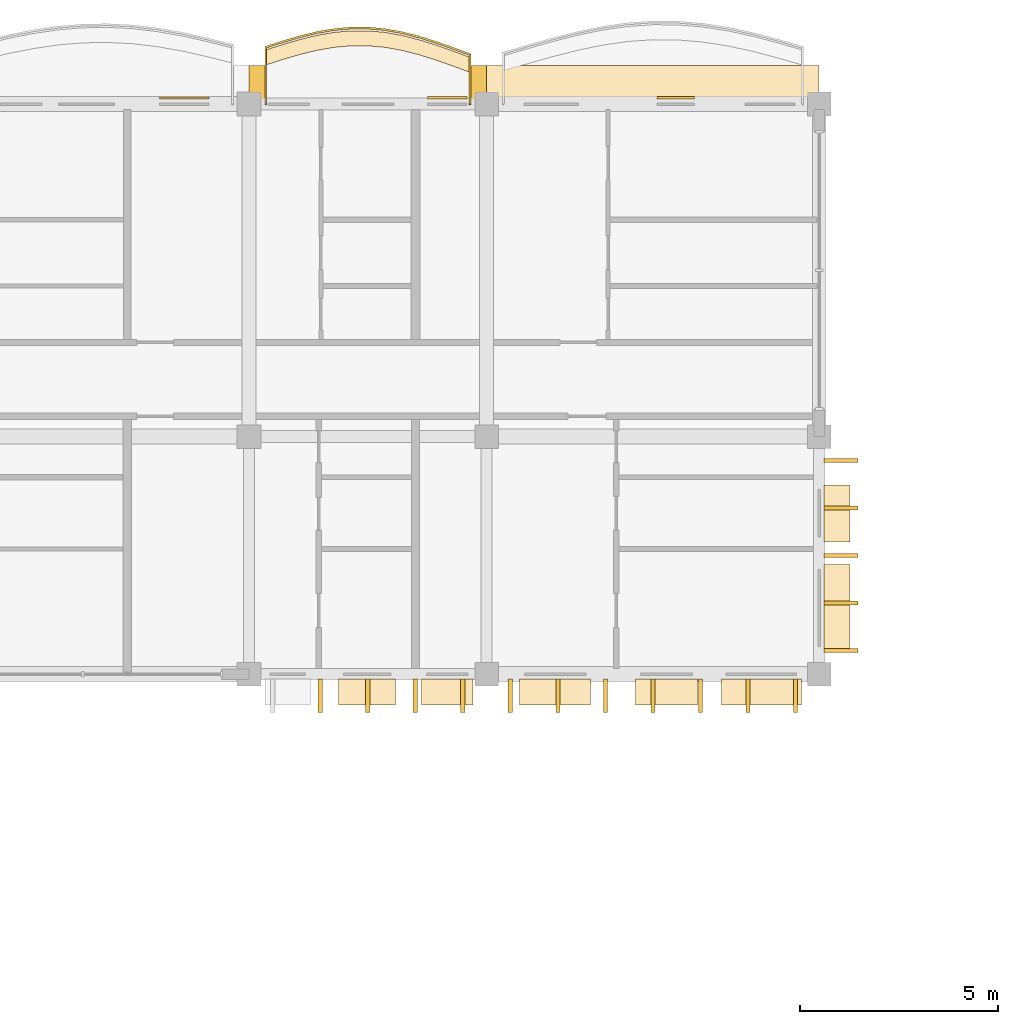
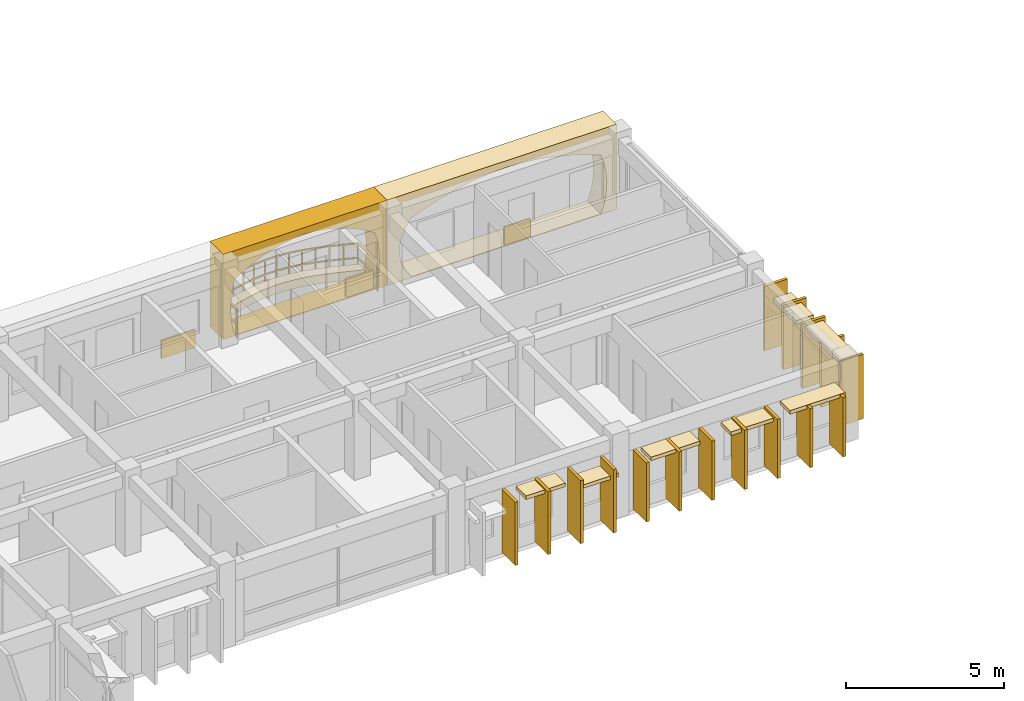
# One storey, part 45 of 54: 29 coverings, 1 railing.
"""IFC4 building model written with IfcOpenShell, lengths in metres."""

from ifc_helpers import new_model, si_unit, direction, frame, origin, origin_2d, place, context, subcontext, project, spatial, polyline, rectangle, outline, extrude, material, layer, layer_set, type_object, element, save


model = new_model("IFC4")

# Units and contexts
model_context = context("Model", 3, precision=1e-05, world=origin(), true_north=direction((0.0, 1.0)))
body_context = subcontext(model_context, "Body", "Model", "MODEL_VIEW")
ifc_project = project(units=[si_unit("LENGTHUNIT", "METRE"), si_unit("AREAUNIT", "SQUARE_METRE"), si_unit("VOLUMEUNIT", "CUBIC_METRE"), si_unit("PLANEANGLEUNIT", "RADIAN"), si_unit("MASSUNIT", "GRAM", prefix="KILO"), si_unit("THERMODYNAMICTEMPERATUREUNIT", "KELVIN")], contexts=[model_context])

# Site, building, storey
site_placement = place(None, origin())
site = spatial("IfcSite", under=ifc_project, at=site_placement, CompositionType="ELEMENT")
building_placement = place(site_placement, origin())
building = spatial("IfcBuilding", under=site, at=building_placement, Name="Thalorik Housing Commons", CompositionType="ELEMENT")
storey_placement = place(building_placement, frame((0.0, 0.0, 31.199951171875)))
storey = spatial("IfcBuildingStorey", under=building, at=storey_placement, Name="L09", CompositionType="ELEMENT", Elevation=31.199951171875)

# Coverings
ifc_material_1 = material(Name="Cobalt blue glazed ceramic facade tile panel", Category="masonry")
ifc_layer_1 = layer(ifc_material_1, 0.06005859375, Name="Cobalt blue glazed ceramic facade tile panel", Category="masonry")
ifc_layer_set_1 = layer_set([ifc_layer_1], Name="Cobalt blue glazed ceramic facade tile panel")
covering_type_1 = type_object("IfcCoveringType", Name="ARC-CLD-BLU-60", PredefinedType="CLADDING", material=ifc_layer_set_1)
covering_1_placement = place(storey_placement, frame((47.9736328125, 123.757568359375, 0.05029296875), z_axis=(0.0, 0.0, 1.0), x_axis=(-1.0, 0.0, 0.0)))
element("IfcCovering", 1, at=covering_1_placement, inside=storey, type_object=covering_type_1, Name="L09 De Stijl Recessed Window Spandrel 950", PredefinedType="CLADDING", context=body_context, shape_type="SweptSolid", body=[
    extrude(rectangle(XDim=0.949951171875, YDim=0.06005859375, at=origin_2d()), origin(), (0.0, 0.0, 1.0), 0.699951171875),
])
ifc_material_2 = material(Name="Precast concrete C40/50", Category="concrete")
ifc_layer_2 = layer(ifc_material_2, 0.85009765625, Name="Precast concrete C40/50", Category="concrete")
ifc_layer_set_2 = layer_set([ifc_layer_2], Name="Precast concrete C40/50")
covering_type_2 = type_object("IfcCoveringType", Name="ARC-CLD-CUSH-850", PredefinedType="CLADDING", material=ifc_layer_set_2)
covering_2_placement = place(storey_placement, frame((47.39990234375, 124.1474609375, 0.0), z_axis=(0.0, 0.0, 1.0), x_axis=(-1.0, 0.0, 0.0)))
element("IfcCovering", 2, at=covering_2_placement, inside=storey, type_object=covering_type_2, Name="L09 White Precast Curved Cushion Bay Frame 949", PredefinedType="CLADDING", context=body_context, shape_type="SweptSolid", body=[
    extrude(outline(polyline([(-4.199951171875, 0.0), (4.199951171875, 0.0), (4.199951171875, 3.300048828125), (-4.199951171875, 3.300048828125), (-4.199951171875, 0.0)]), holes=[polyline([(3.311279296875, 0.02490234375), (3.55517578125, 0.404296875), (3.701416015625, 0.783203125), (3.75, 1.16259765625), (3.701416015625, 1.541748046875), (3.55517578125, 1.9208984375), (3.311279296875, 2.300048828125), (2.73291015625, 2.525390625), (2.154541015625, 2.7021484375), (1.575927734375, 2.845458984375), (0.99755859375, 2.951904296875), (0.419189453125, 3.017822265625), (-0.1591796875, 3.0400390625), (-0.73779296875, 3.017822265625), (-1.316162109375, 2.951904296875), (-1.89453125, 2.845458984375), (-2.47314453125, 2.7021484375), (-3.051513671875, 2.525390625), (-3.6298828125, 2.300048828125), (-3.750244140625, 1.9208984375), (-3.822509765625, 1.541748046875), (-3.8466796875, 1.16259765625), (-3.822509765625, 0.783203125), (-3.750244140625, 0.404296875), (-3.6298828125, 0.02490234375), (3.311279296875, 0.02490234375)])]), frame((0.0, 0.425048828125, 0.0), z_axis=(0.0, -1.0, 0.0), x_axis=(1.0, 0.0, 0.0)), (0.0, 0.0, 1.0), 0.85009765625),
])
covering_3_placement = place(storey_placement, frame((40.199951171875, 124.1474609375, 0.0), z_axis=(0.0, 0.0, 1.0), x_axis=(-1.0, 0.0, 0.0)))
element("IfcCovering", 3, at=covering_3_placement, inside=storey, type_object=covering_type_2, Name="L09 White Precast Curved Cushion Bay Frame 951", PredefinedType="CLADDING", context=body_context, shape_type="SweptSolid", body=[
    extrude(outline(polyline([(-3.0, 0.0), (3.0, 0.0), (3.0, 3.300048828125), (-3.0, 3.300048828125), (-3.0, 0.0)]), holes=[polyline([(2.57275390625, 0.02490234375), (2.6630859375, 0.387451171875), (2.717041015625, 0.75), (2.735107421875, 1.112548828125), (2.717041015625, 1.47509765625), (2.6630859375, 1.83740234375), (2.57275390625, 2.199951171875), (2.1455078125, 2.455810546875), (1.71826171875, 2.656494140625), (1.291015625, 2.819091796875), (0.863525390625, 2.940185546875), (0.436279296875, 3.014892578125), (0.0087890625, 3.0400390625), (-0.41845703125, 3.014892578125), (-0.845703125, 2.940185546875), (-1.27294921875, 2.819091796875), (-1.700439453125, 2.656494140625), (-2.127685546875, 2.455810546875), (-2.554931640625, 2.199951171875), (-2.64892578125, 1.83740234375), (-2.705322265625, 1.47509765625), (-2.72412109375, 1.112548828125), (-2.705322265625, 0.75), (-2.64892578125, 0.387451171875), (-2.554931640625, 0.02490234375), (2.57275390625, 0.02490234375)])]), frame((0.0, 0.425048828125, 0.0), z_axis=(0.0, -1.0, 0.0), x_axis=(1.0, 0.0, 0.0)), (0.0, 0.0, 1.0), 0.85009765625),
])
ifc_layer_3 = layer(ifc_material_2, 0.85009765625, Name="Precast concrete C40/50", Category="concrete")
ifc_layer_set_3 = layer_set([ifc_layer_3], Name="Precast concrete C40/50")
covering_type_3 = type_object("IfcCoveringType", Name="ARC-CLD-FIN-850", PredefinedType="CLADDING", material=ifc_layer_set_3)
for number, where, z_axis, x_axis, name in (
    (4, (39.0, 108.652587890625, 0.0400390625), (0.0, 0.0, 1.0), (1.0, 0.0, 0.0), "L09 Courtyard Precast Vertical Brise-Soleil Fin 925"),
    (5, (40.199951171875, 108.652587890625, 0.0400390625), (0.0, 0.0, 1.0), (1.0, 0.0, 0.0), "L09 Courtyard Precast Vertical Brise-Soleil Fin 926"),
    (6, (41.39990234375, 108.652587890625, 0.0400390625), (0.0, 0.0, 1.0), (1.0, 0.0, 0.0), "L09 Courtyard Precast Vertical Brise-Soleil Fin 927"),
    (7, (42.60009765625, 108.652587890625, 0.0400390625), (0.0, 0.0, 1.0), (1.0, 0.0, 0.0), "L09 Courtyard Precast Vertical Brise-Soleil Fin 928"),
):
    element("IfcCovering", number, at=place(storey_placement, frame(where, z_axis=z_axis, x_axis=x_axis)), inside=storey, type_object=covering_type_3, Name=name, PredefinedType="CLADDING", context=body_context, shape_type="SweptSolid", body=[
        extrude(rectangle(XDim=0.110107421875, YDim=0.85009765625, at=origin_2d()), origin(), (0.0, 0.0, 1.0), 2.445068359375),
    ])
for number, where, z_axis, x_axis, name in (
    (8, (43.800048828125, 108.652587890625, 0.0400390625), (0.0, 0.0, 1.0), (1.0, 0.0, 0.0), "L09 Courtyard Precast Vertical Brise-Soleil Fin 932"),
    (9, (45.0, 108.652587890625, 0.0400390625), (0.0, 0.0, 1.0), (1.0, 0.0, 0.0), "L09 Courtyard Precast Vertical Brise-Soleil Fin 933"),
    (10, (46.199951171875, 108.652587890625, 0.0400390625), (0.0, 0.0, 1.0), (1.0, 0.0, 0.0), "L09 Courtyard Precast Vertical Brise-Soleil Fin 934"),
    (11, (47.39990234375, 108.652587890625, 0.0400390625), (0.0, 0.0, 1.0), (1.0, 0.0, 0.0), "L09 Courtyard Precast Vertical Brise-Soleil Fin 935"),
    (12, (48.60009765625, 108.652587890625, 0.0400390625), (0.0, 0.0, 1.0), (1.0, 0.0, 0.0), "L09 Courtyard Precast Vertical Brise-Soleil Fin 936"),
    (13, (49.800048828125, 108.652587890625, 0.0400390625), (0.0, 0.0, 1.0), (1.0, 0.0, 0.0), "L09 Courtyard Precast Vertical Brise-Soleil Fin 937"),
    (14, (51.0, 108.652587890625, 0.0400390625), (0.0, 0.0, 1.0), (1.0, 0.0, 0.0), "L09 Courtyard Precast Vertical Brise-Soleil Fin 938"),
):
    element("IfcCovering", number, at=place(storey_placement, frame(where, z_axis=z_axis, x_axis=x_axis)), inside=storey, type_object=covering_type_3, Name=name, PredefinedType="CLADDING", context=body_context, shape_type="SweptSolid", body=[
        extrude(rectangle(XDim=0.110107421875, YDim=0.85009765625, at=origin_2d()), origin(), (0.0, 0.0, 1.0), 2.294921875),
    ])
for number, where, z_axis, x_axis, name in (
    (15, (52.1474609375, 109.800048828125, 0.0400390625), (0.0, 0.0, 1.0), (0.0, 1.0, 0.0), "L09 Courtyard Precast Vertical Brise-Soleil Fin 942"),
    (16, (52.1474609375, 111.0, 0.0400390625), (0.0, 0.0, 1.0), (0.0, 1.0, 0.0), "L09 Courtyard Precast Vertical Brise-Soleil Fin 943"),
    (17, (52.1474609375, 112.199951171875, 0.0400390625), (0.0, 0.0, 1.0), (0.0, 1.0, 0.0), "L09 Courtyard Precast Vertical Brise-Soleil Fin 944"),
    (18, (52.1474609375, 113.39990234375, 0.0400390625), (0.0, 0.0, 1.0), (0.0, 1.0, 0.0), "L09 Courtyard Precast Vertical Brise-Soleil Fin 945"),
    (19, (52.1474609375, 114.60009765625, 0.0400390625), (0.0, 0.0, 1.0), (0.0, 1.0, 0.0), "L09 Courtyard Precast Vertical Brise-Soleil Fin 946"),
):
    element("IfcCovering", number, at=place(storey_placement, frame(where, z_axis=z_axis, x_axis=x_axis)), inside=storey, type_object=covering_type_3, Name=name, PredefinedType="CLADDING", context=body_context, shape_type="SweptSolid", body=[
        extrude(rectangle(XDim=0.110107421875, YDim=0.85009765625, at=origin_2d()), origin(), (0.0, 0.0, 1.0), 2.4951171875),
    ])
ifc_layer_4 = layer(ifc_material_2, 0.64990234375, Name="Precast concrete C40/50", Category="concrete")
ifc_layer_set_4 = layer_set([ifc_layer_4], Name="Precast concrete C40/50")
covering_type_4 = type_object("IfcCoveringType", Name="ARC-CLD-HOOD-650", PredefinedType="CLADDING", material=ifc_layer_set_4)
covering_4_placement = place(storey_placement, frame((40.179931640625, 108.75244140625, 2.2900390625), z_axis=(0.0, 0.0, 1.0), x_axis=(1.0, 0.0, 0.0)))
element("IfcCovering", 20, at=covering_4_placement, inside=storey, type_object=covering_type_4, Name="L09 Courtyard Precast Window Sun-Hood 930", PredefinedType="CLADDING", context=body_context, shape_type="SweptSolid", body=[
    extrude(rectangle(XDim=1.43994140625, YDim=0.64990234375, at=origin_2d()), origin(), (0.0, 0.0, 1.0), 0.139892578125),
])
covering_5_placement = place(storey_placement, frame((42.205078125, 108.75244140625, 1.990234375), z_axis=(0.0, 0.0, 1.0), x_axis=(1.0, 0.0, 0.0)))
element("IfcCovering", 21, at=covering_5_placement, inside=storey, type_object=covering_type_4, Name="L09 Courtyard Precast Window Sun-Hood 931", PredefinedType="CLADDING", context=body_context, shape_type="SweptSolid", body=[
    extrude(rectangle(XDim=1.2900390625, YDim=0.64990234375, at=origin_2d()), origin(), (0.0, 0.0, 1.0), 0.139892578125),
])
covering_6_placement = place(storey_placement, frame((44.929931640625, 108.75244140625, 2.18994140625), z_axis=(0.0, 0.0, 1.0), x_axis=(1.0, 0.0, 0.0)))
element("IfcCovering", 22, at=covering_6_placement, inside=storey, type_object=covering_type_4, Name="L09 Courtyard Precast Window Sun-Hood 939", PredefinedType="CLADDING", context=body_context, shape_type="SweptSolid", body=[
    extrude(rectangle(XDim=1.7900390625, YDim=0.64990234375, at=origin_2d()), origin(), (0.0, 0.0, 1.0), 0.139892578125),
])
covering_7_placement = place(storey_placement, frame((47.739990234375, 108.75244140625, 2.14013671875), z_axis=(0.0, 0.0, 1.0), x_axis=(1.0, 0.0, 0.0)))
element("IfcCovering", 23, at=covering_7_placement, inside=storey, type_object=covering_type_4, Name="L09 Courtyard Precast Window Sun-Hood 940", PredefinedType="CLADDING", context=body_context, shape_type="SweptSolid", body=[
    extrude(rectangle(XDim=1.56005859375, YDim=0.64990234375, at=origin_2d()), origin(), (0.0, 0.0, 1.0), 0.139892578125),
])
covering_8_placement = place(storey_placement, frame((50.139892578125, 108.75244140625, 2.2099609375), z_axis=(0.0, 0.0, 1.0), x_axis=(1.0, 0.0, 0.0)))
element("IfcCovering", 24, at=covering_8_placement, inside=storey, type_object=covering_type_4, Name="L09 Courtyard Precast Window Sun-Hood 941", PredefinedType="CLADDING", context=body_context, shape_type="SweptSolid", body=[
    extrude(rectangle(XDim=2.02001953125, YDim=0.64990234375, at=origin_2d()), origin(), (0.0, 0.0, 1.0), 0.139892578125),
])
covering_9_placement = place(storey_placement, frame((52.047607421875, 110.87548828125, 2.42529296875), z_axis=(0.0, 0.0, 1.0), x_axis=(0.0, 1.0, 0.0)))
element("IfcCovering", 25, at=covering_9_placement, inside=storey, type_object=covering_type_4, Name="L09 Courtyard Precast Window Sun-Hood 947", PredefinedType="CLADDING", context=body_context, shape_type="SweptSolid", body=[
    extrude(rectangle(XDim=2.18994140625, YDim=0.64990234375, at=origin_2d()), origin(), (0.0, 0.0, 1.0), 0.139892578125),
])
covering_10_placement = place(storey_placement, frame((52.047607421875, 113.26513671875, 2.2900390625), z_axis=(0.0, 0.0, 1.0), x_axis=(0.0, 1.0, 0.0)))
element("IfcCovering", 26, at=covering_10_placement, inside=storey, type_object=covering_type_4, Name="L09 Courtyard Precast Window Sun-Hood 948", PredefinedType="CLADDING", context=body_context, shape_type="SweptSolid", body=[
    extrude(rectangle(XDim=1.43994140625, YDim=0.64990234375, at=origin_2d()), origin(), (0.0, 0.0, 1.0), 0.139892578125),
])
ifc_material_3 = material(Name="Terracotta red mineral fibre-cement panel", Category="masonry")
ifc_layer_5 = layer(ifc_material_3, 0.054931640625, Name="Terracotta red mineral fibre-cement panel", Category="masonry")
ifc_layer_set_5 = layer_set([ifc_layer_5], Name="Terracotta red mineral fibre-cement panel")
covering_type_5 = type_object("IfcCoveringType", Name="ARC-CLD-RED-55", PredefinedType="CLADDING", material=ifc_layer_set_5)
covering_11_placement = place(storey_placement, frame((35.56494140625, 123.7548828125, 0.05029296875), z_axis=(0.0, 0.0, 1.0), x_axis=(-1.0, 0.0, 0.0)))
element("IfcCovering", 27, at=covering_11_placement, inside=storey, type_object=covering_type_5, Name="L09 De Stijl Recessed Window Spandrel 954", PredefinedType="CLADDING", context=body_context, shape_type="SweptSolid", body=[
    extrude(rectangle(XDim=1.25, YDim=0.054931640625, at=origin_2d()), origin(), (0.0, 0.0, 1.0), 0.699951171875),
])
ifc_material_4 = material(Name="Mineral ochre architectural terracotta panel", Category="masonry")
ifc_layer_6 = layer(ifc_material_4, 0.06494140625, Name="Mineral ochre architectural terracotta panel", Category="masonry")
ifc_layer_set_6 = layer_set([ifc_layer_6], Name="Mineral ochre architectural terracotta panel")
covering_type_6 = type_object("IfcCoveringType", Name="ARC-CLD-YEL-65", PredefinedType="CLADDING", material=ifc_layer_set_6)
covering_12_placement = place(storey_placement, frame((42.205078125, 123.760009765625, 0.05029296875), z_axis=(0.0, 0.0, 1.0), x_axis=(-1.0, 0.0, 0.0)))
element("IfcCovering", 28, at=covering_12_placement, inside=storey, type_object=covering_type_6, Name="L09 De Stijl Recessed Window Spandrel 952", PredefinedType="CLADDING", context=body_context, shape_type="SweptSolid", body=[
    extrude(rectangle(XDim=1.0, YDim=0.06494140625, at=origin_2d()), origin(), (0.0, 0.0, 1.0), 0.699951171875),
])
ifc_material_5 = material(Name="Planted vegetated substrate and terracotta trough", Category="masonry")
ifc_layer_7 = layer(ifc_material_5, 0.340087890625, Name="Planted vegetated substrate and terracotta trough", Category="masonry")
ifc_layer_set_7 = layer_set([ifc_layer_7], Name="Planted vegetated substrate and terracotta trough")
covering_type_7 = type_object("IfcCoveringType", Name="ARC-COV-PLANTER", PredefinedType="USERDEFINED", material=ifc_layer_set_7)
covering_13_placement = place(storey_placement, origin())
element("IfcCovering", 29, at=covering_13_placement, inside=storey, type_object=covering_type_7, Name="L09 Balcony Slab-Edge Planted Trough 5380", ObjectType="PLANTER", PredefinedType="USERDEFINED", context=body_context, shape_type="SweptSolid", body=[
    extrude(outline(polyline([(42.780029296875, 124.780517578125), (42.35009765625, 124.939208984375), (41.919921875, 125.09130859375), (41.489990234375, 125.226318359375), (41.06005859375, 125.3359375), (40.6298828125, 125.41259765625), (40.199951171875, 125.451416015625), (39.77001953125, 125.450927734375), (39.340087890625, 125.411376953125), (38.909912109375, 125.33642578125), (38.47998046875, 125.231689453125), (38.050048828125, 125.105224609375), (37.6201171875, 124.96630859375), (37.6201171875, 124.58642578125), (38.050048828125, 124.725341796875), (38.47998046875, 124.851806640625), (38.909912109375, 124.956298828125), (39.340087890625, 125.031494140625), (39.77001953125, 125.07080078125), (40.199951171875, 125.071533203125), (40.6298828125, 125.032470703125), (41.06005859375, 124.955810546875), (41.489990234375, 124.846435546875), (41.919921875, 124.711181640625), (42.35009765625, 124.55908203125), (42.780029296875, 124.400390625), (42.780029296875, 124.780517578125)])), origin(), (0.0, 0.0, 1.0), 0.340087890625),
])

# Railing
ifc_material_6 = material(Name="Steel S355", Category="steel")
railing_type = type_object("IfcRailingType", Name="ARC-RL-BAL-112", PredefinedType="BALUSTRADE", material=ifc_material_6)
railing_placement = place(storey_placement, frame((42.780029296875, 123.60009765625, 0.0)))
element("IfcRailing", 30, at=railing_placement, inside=storey, type_object=railing_type, Name="L09 Cushion Balcony Guardrail 64", PredefinedType="BALUSTRADE", context=body_context, shape_type="SweptSolid", body=[
    extrude(rectangle(XDim=0.050048828125, YDim=0.050048828125, at=origin_2d()), frame((0.0, 0.0, 1.09521484375), z_axis=(0.0, 1.0, 0.0), x_axis=(-1.0, 0.0, 0.0)), (0.0, 0.0, 1.0), 1.250244140625),
    extrude(rectangle(XDim=0.050048828125, YDim=0.050048828125, at=origin_2d()), frame((0.0, 0.0, 0.53515625), z_axis=(0.0, 1.0, 0.0), x_axis=(-1.0, 0.0, 0.0)), (0.0, 0.0, 1.0), 1.250244140625),
    extrude(rectangle(XDim=0.050048828125, YDim=0.050048828125, at=origin_2d()), frame((0.0, 1.250244140625, 1.09521484375), z_axis=(-0.938133751887, 0.346273105467, 0.0), x_axis=(-0.346273105467, -0.938133751887, 0.0)), (0.0, 0.0, 1.0), 0.458251953125),
    extrude(rectangle(XDim=0.050048828125, YDim=0.050048828125, at=origin_2d()), frame((0.0, 1.250244140625, 0.53515625), z_axis=(-0.938133751887, 0.346273105467, 0.0), x_axis=(-0.346273105467, -0.938133751887, 0.0)), (0.0, 0.0, 1.0), 0.458251953125),
    extrude(rectangle(XDim=0.050048828125, YDim=0.050048828125, at=origin_2d()), frame((-0.429931640625, 1.408935546875, 1.09521484375), z_axis=(-0.942802495723, 0.333351847239, 0.0), x_axis=(-0.333351847239, -0.942802495723, 0.0)), (0.0, 0.0, 1.0), 0.456298828125),
    extrude(rectangle(XDim=0.050048828125, YDim=0.050048828125, at=origin_2d()), frame((-0.429931640625, 1.408935546875, 0.53515625), z_axis=(-0.942802495723, 0.333351847239, 0.0), x_axis=(-0.333351847239, -0.942802495723, 0.0)), (0.0, 0.0, 1.0), 0.456298828125),
    extrude(rectangle(XDim=0.050048828125, YDim=0.050048828125, at=origin_2d()), frame((-0.860107421875, 1.56103515625, 1.09521484375), z_axis=(-0.953909569084, 0.300094208559, 0.0), x_axis=(-0.300094208559, -0.953909569084, 0.0)), (0.0, 0.0, 1.0), 0.45068359375),
    extrude(rectangle(XDim=0.050048828125, YDim=0.050048828125, at=origin_2d()), frame((-0.860107421875, 1.56103515625, 0.53515625), z_axis=(-0.953909569084, 0.300094208559, 0.0), x_axis=(-0.300094208559, -0.953909569084, 0.0)), (0.0, 0.0, 1.0), 0.45068359375),
    extrude(rectangle(XDim=0.050048828125, YDim=0.050048828125, at=origin_2d()), frame((-1.2900390625, 1.6962890625, 1.09521484375), z_axis=(-0.968999038876, 0.247064490889, 0.0), x_axis=(-0.247064490889, -0.968999038876, 0.0)), (0.0, 0.0, 1.0), 0.443603515625),
    extrude(rectangle(XDim=0.050048828125, YDim=0.050048828125, at=origin_2d()), frame((-1.2900390625, 1.6962890625, 0.53515625), z_axis=(-0.968999038876, 0.247064490889, 0.0), x_axis=(-0.247064490889, -0.968999038876, 0.0)), (0.0, 0.0, 1.0), 0.443603515625),
    extrude(rectangle(XDim=0.050048828125, YDim=0.050048828125, at=origin_2d()), frame((-1.719970703125, 1.805908203125, 1.09521484375), z_axis=(-0.984586038099, 0.174900925043, 0.0), x_axis=(-0.174900925043, -0.984586038099, 0.0)), (0.0, 0.0, 1.0), 0.43701171875),
    extrude(rectangle(XDim=0.050048828125, YDim=0.050048828125, at=origin_2d()), frame((-1.719970703125, 1.805908203125, 0.53515625), z_axis=(-0.984586038099, 0.174900925043, 0.0), x_axis=(-0.174900925043, -0.984586038099, 0.0)), (0.0, 0.0, 1.0), 0.43701171875),
    extrude(rectangle(XDim=0.050048828125, YDim=0.050048828125, at=origin_2d()), frame((-2.150146484375, 1.88232421875, 1.09521484375), z_axis=(-0.995897840652, 0.090484755539, 0.0), x_axis=(-0.090484755539, -0.995897840652, 0.0)), (0.0, 0.0, 1.0), 0.431640625),
    extrude(rectangle(XDim=0.050048828125, YDim=0.050048828125, at=origin_2d()), frame((-2.150146484375, 1.88232421875, 0.53515625), z_axis=(-0.995897840652, 0.090484755539, 0.0), x_axis=(-0.090484755539, -0.995897840652, 0.0)), (0.0, 0.0, 1.0), 0.431640625),
    extrude(rectangle(XDim=0.050048828125, YDim=0.050048828125, at=origin_2d()), frame((-2.580078125, 1.92138671875, 1.09521484375), z_axis=(-0.999999355073, -0.001135717609, 0.0), x_axis=(0.001135717609, -0.999999355073, 0.0)), (0.0, 0.0, 1.0), 0.429931640625),
    extrude(rectangle(XDim=0.050048828125, YDim=0.050048828125, at=origin_2d()), frame((-2.580078125, 1.92138671875, 0.53515625), z_axis=(-0.999999355073, -0.001135717609, 0.0), x_axis=(0.001135717609, -0.999999355073, 0.0)), (0.0, 0.0, 1.0), 0.429931640625),
    extrude(rectangle(XDim=0.050048828125, YDim=0.050048828125, at=origin_2d()), frame((-3.010009765625, 1.9208984375, 1.09521484375), z_axis=(-0.995795295661, -0.091606381543, 0.0), x_axis=(0.091606381543, -0.995795295661, 0.0)), (0.0, 0.0, 1.0), 0.431640625),
    extrude(rectangle(XDim=0.050048828125, YDim=0.050048828125, at=origin_2d()), frame((-3.010009765625, 1.9208984375, 0.53515625), z_axis=(-0.995795295661, -0.091606381543, 0.0), x_axis=(0.091606381543, -0.995795295661, 0.0)), (0.0, 0.0, 1.0), 0.431640625),
    extrude(rectangle(XDim=0.050048828125, YDim=0.050048828125, at=origin_2d()), frame((-3.43994140625, 1.88134765625, 1.09521484375), z_axis=(-0.985158360438, -0.171647909566, 0.0), x_axis=(0.171647909566, -0.985158360438, 0.0)), (0.0, 0.0, 1.0), 0.436767578125),
    extrude(rectangle(XDim=0.050048828125, YDim=0.050048828125, at=origin_2d()), frame((-3.43994140625, 1.88134765625, 0.53515625), z_axis=(-0.985158360438, -0.171647909566, 0.0), x_axis=(0.171647909566, -0.985158360438, 0.0)), (0.0, 0.0, 1.0), 0.436767578125),
    extrude(rectangle(XDim=0.050048828125, YDim=0.050048828125, at=origin_2d()), frame((-3.8701171875, 1.806396484375, 1.09521484375), z_axis=(-0.971585356615, -0.236689448034, 0.0), x_axis=(0.236689448034, -0.971585356615, 0.0)), (0.0, 0.0, 1.0), 0.442626953125),
    extrude(rectangle(XDim=0.050048828125, YDim=0.050048828125, at=origin_2d()), frame((-3.8701171875, 1.806396484375, 0.53515625), z_axis=(-0.971585356615, -0.236689448034, 0.0), x_axis=(0.236689448034, -0.971585356615, 0.0)), (0.0, 0.0, 1.0), 0.442626953125),
    extrude(rectangle(XDim=0.050048828125, YDim=0.050048828125, at=origin_2d()), frame((-4.300048828125, 1.70166015625, 1.09521484375), z_axis=(-0.959356826284, -0.282195818294, 0.0), x_axis=(0.282195818294, -0.959356826284, 0.0)), (0.0, 0.0, 1.0), 0.4482421875),
    extrude(rectangle(XDim=0.050048828125, YDim=0.050048828125, at=origin_2d()), frame((-4.300048828125, 1.70166015625, 0.53515625), z_axis=(-0.959356826284, -0.282195818294, 0.0), x_axis=(0.282195818294, -0.959356826284, 0.0)), (0.0, 0.0, 1.0), 0.4482421875),
    extrude(rectangle(XDim=0.050048828125, YDim=0.050048828125, at=origin_2d()), frame((-4.72998046875, 1.5751953125, 1.09521484375), z_axis=(-0.951560814665, -0.307460592586, 0.0), x_axis=(0.307460592586, -0.951560814665, 0.0)), (0.0, 0.0, 1.0), 0.451904296875),
    extrude(rectangle(XDim=0.050048828125, YDim=0.050048828125, at=origin_2d()), frame((-4.72998046875, 1.5751953125, 0.53515625), z_axis=(-0.951560814665, -0.307460592586, 0.0), x_axis=(0.307460592586, -0.951560814665, 0.0)), (0.0, 0.0, 1.0), 0.451904296875),
    extrude(rectangle(XDim=0.050048828125, YDim=0.050048828125, at=origin_2d()), frame((-5.159912109375, 1.436279296875, 1.09521484375), z_axis=(0.0, -1.0, 0.0), x_axis=(1.0, 0.0, 0.0)), (0.0, 0.0, 1.0), 1.436279296875),
    extrude(rectangle(XDim=0.050048828125, YDim=0.050048828125, at=origin_2d()), frame((-5.159912109375, 1.436279296875, 0.53515625), z_axis=(0.0, -1.0, 0.0), x_axis=(1.0, 0.0, 0.0)), (0.0, 0.0, 1.0), 1.436279296875),
    extrude(rectangle(XDim=0.0419921875, YDim=0.0419921875, at=origin_2d()), origin(), (0.0, 0.0, 1.0), 1.070068359375),
    extrude(rectangle(XDim=0.0419921875, YDim=0.0419921875, at=origin_2d()), frame((0.0, 1.250244140625, 0.0)), (0.0, 0.0, 1.0), 1.070068359375),
    extrude(rectangle(XDim=0.0419921875, YDim=0.0419921875, at=origin_2d()), frame((-0.429931640625, 1.408935546875, 0.0)), (0.0, 0.0, 1.0), 1.070068359375),
    extrude(rectangle(XDim=0.0419921875, YDim=0.0419921875, at=origin_2d()), frame((-0.860107421875, 1.56103515625, 0.0)), (0.0, 0.0, 1.0), 1.070068359375),
    extrude(rectangle(XDim=0.0419921875, YDim=0.0419921875, at=origin_2d()), frame((-1.2900390625, 1.6962890625, 0.0)), (0.0, 0.0, 1.0), 1.070068359375),
    extrude(rectangle(XDim=0.0419921875, YDim=0.0419921875, at=origin_2d()), frame((-1.719970703125, 1.805908203125, 0.0)), (0.0, 0.0, 1.0), 1.070068359375),
    extrude(rectangle(XDim=0.0419921875, YDim=0.0419921875, at=origin_2d()), frame((-2.150146484375, 1.88232421875, 0.0)), (0.0, 0.0, 1.0), 1.070068359375),
    extrude(rectangle(XDim=0.0419921875, YDim=0.0419921875, at=origin_2d()), frame((-2.580078125, 1.92138671875, 0.0)), (0.0, 0.0, 1.0), 1.070068359375),
    extrude(rectangle(XDim=0.0419921875, YDim=0.0419921875, at=origin_2d()), frame((-3.010009765625, 1.9208984375, 0.0)), (0.0, 0.0, 1.0), 1.070068359375),
    extrude(rectangle(XDim=0.0419921875, YDim=0.0419921875, at=origin_2d()), frame((-3.43994140625, 1.88134765625, 0.0)), (0.0, 0.0, 1.0), 1.070068359375),
    extrude(rectangle(XDim=0.0419921875, YDim=0.0419921875, at=origin_2d()), frame((-3.8701171875, 1.806396484375, 0.0)), (0.0, 0.0, 1.0), 1.070068359375),
    extrude(rectangle(XDim=0.0419921875, YDim=0.0419921875, at=origin_2d()), frame((-4.300048828125, 1.70166015625, 0.0)), (0.0, 0.0, 1.0), 1.070068359375),
    extrude(rectangle(XDim=0.0419921875, YDim=0.0419921875, at=origin_2d()), frame((-4.72998046875, 1.5751953125, 0.0)), (0.0, 0.0, 1.0), 1.070068359375),
    extrude(rectangle(XDim=0.0419921875, YDim=0.0419921875, at=origin_2d()), frame((-5.159912109375, 1.436279296875, 0.0)), (0.0, 0.0, 1.0), 1.070068359375),
    extrude(rectangle(XDim=0.0419921875, YDim=0.0419921875, at=origin_2d()), frame((-5.159912109375, 0.0, 0.0)), (0.0, 0.0, 1.0), 1.070068359375),
])

save(model, "model.ifc")
